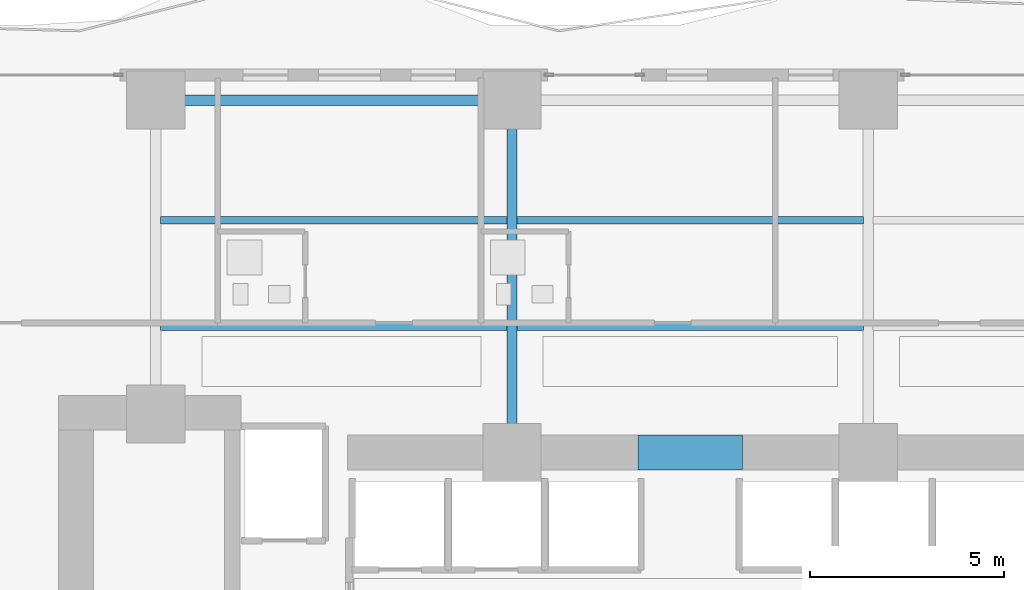
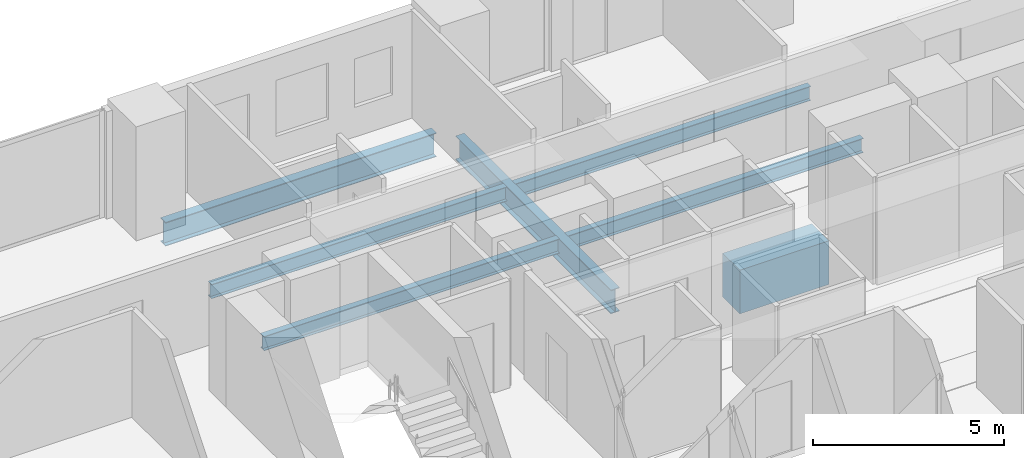
# One storey, part 14 of 28: 7 beams.
"""IFC4 building model written with IfcOpenShell, lengths in metres."""

from ifc_helpers import new_model, si_unit, direction, frame, origin, origin_2d, place, context, subcontext, project, spatial, rectangle, i_section, extrude, material, material_profile, profile_set, type_object, element, save


model = new_model("IFC4")

# Units and contexts
model_context = context("Model", 3, precision=1e-05, world=origin(), true_north=direction((0.0, 1.0)))
body_context = subcontext(model_context, "Body", "Model", "MODEL_VIEW")
ifc_project = project(units=[si_unit("LENGTHUNIT", "METRE"), si_unit("AREAUNIT", "SQUARE_METRE"), si_unit("VOLUMEUNIT", "CUBIC_METRE"), si_unit("PLANEANGLEUNIT", "RADIAN"), si_unit("MASSUNIT", "GRAM", prefix="KILO")], contexts=[model_context])

# Site, building, storey
site_placement = place(None, origin())
site = spatial("IfcSite", under=ifc_project, at=site_placement, CompositionType="ELEMENT")
building_placement = place(site_placement, origin())
building = spatial("IfcBuilding", under=site, at=building_placement, Name="Zuhayl Quay Hotel", CompositionType="ELEMENT")
storey_placement = place(building_placement, frame((0.0, 0.0, 56.800048828125)))
storey = spatial("IfcBuildingStorey", under=building, at=storey_placement, Name="L13", CompositionType="ELEMENT", Elevation=56.800048828125)

# Beams
ifc_material_1 = material(Name="Steel ASTM A992 Grade 50", Category="steel")
ifc_material_profile_1 = material_profile(ifc_material_1, i_section(OverallWidth=0.26708984375, OverallDepth=0.761962890625, WebThickness=0.014404296875, FlangeThickness=0.021484375, at=origin_2d()), Name="W30X116")
ifc_profile_set_1 = profile_set([ifc_material_profile_1], Name="Steel ASTM A992 Grade 50")
beam_type_1 = type_object("IfcBeamType", Name="BM_B1_W30X116", PredefinedType="BEAM", material=ifc_profile_set_1)
beam_1_placement = place(storey_placement, frame((-5.10009765625, 22.449951171875, -0.60107421875), z_axis=(-1.0, 0.0, 0.0), x_axis=(0.0, -1.0, 0.0)))
element("IfcBeam", 1, at=beam_1_placement, inside=storey, type_object=beam_type_1, Name="L13 Floor Beam RG_L13_09", PredefinedType="BEAM", context=body_context, shape_type="SweptSolid", body=[
    extrude(i_section(OverallWidth=0.26708984375, OverallDepth=0.761962890625, WebThickness=0.014404296875, FlangeThickness=0.021484375, at=origin_2d()), origin(), (0.0, 0.0, 1.0), 8.199951171875),
])
beam_2_placement = place(storey_placement, frame((-4.60009765625, 13.800048828125, -0.60107421875), z_axis=(0.0, 1.0, 0.0), x_axis=(-1.0, 0.0, 0.0)))
element("IfcBeam", 2, at=beam_2_placement, inside=storey, type_object=beam_type_1, Name="L13 Floor Beam FG_N_L13_2", PredefinedType="BEAM", context=body_context, shape_type="SweptSolid", body=[
    extrude(i_section(OverallWidth=0.26708984375, OverallDepth=0.761962890625, WebThickness=0.014404296875, FlangeThickness=0.021484375, at=origin_2d()), origin(), (0.0, 0.0, 1.0), 8.14990234375),
])
ifc_material_2 = material(Name="Concrete C60/75", Category="concrete")
ifc_material_profile_2 = material_profile(ifc_material_2, rectangle(XDim=0.89990234375, YDim=1.39990234375, at=origin_2d()), Name="RC900X1400")
ifc_profile_set_2 = profile_set([ifc_material_profile_2], Name="Concrete C60/75")
beam_type_2 = type_object("IfcBeamType", Name="BM_CB1_RC900", PredefinedType="T_BEAM", material=ifc_profile_set_2)
beam_3_placement = place(storey_placement, frame((-1.35009765625, 13.35009765625, -0.920166015625), z_axis=(1.0, 0.0, 0.0), x_axis=(0.0, 1.0, 0.0)))
element("IfcBeam", 3, at=beam_3_placement, inside=storey, type_object=beam_type_2, Name="L13 Core Coupling Beam North", PredefinedType="T_BEAM", context=body_context, shape_type="SweptSolid", body=[
    extrude(rectangle(XDim=0.89990234375, YDim=1.39990234375, at=origin_2d()), origin(), (0.0, 0.0, 1.0), 2.7001953125),
])
ifc_material_profile_3 = material_profile(ifc_material_1, i_section(OverallWidth=0.18994140625, OverallDepth=0.45703125, WebThickness=0.009033203125, FlangeThickness=0.014404296875, at=origin_2d()), Name="W18X50")
ifc_profile_set_3 = profile_set([ifc_material_profile_3], Name="Steel ASTM A992 Grade 50")
beam_type_3 = type_object("IfcBeamType", Name="BM_J2_W18X50", PredefinedType="JOIST", material=ifc_profile_set_3)
beam_4_placement = place(storey_placement, frame((-13.674560546875, 16.60009765625, -0.448486328125), z_axis=(1.0, 0.0, 0.0), x_axis=(0.0, 1.0, 0.0)))
element("IfcBeam", 4, at=beam_4_placement, inside=storey, type_object=beam_type_3, Name="L13 Floor Beam FJ_L13_1_1", PredefinedType="JOIST", context=body_context, shape_type="SweptSolid", body=[
    extrude(i_section(OverallWidth=0.18994140625, OverallDepth=0.45703125, WebThickness=0.009033203125, FlangeThickness=0.014404296875, at=origin_2d()), origin(), (0.0, 0.0, 1.0), 8.948974609375),
])
beam_5_placement = place(storey_placement, frame((-4.474609375, 16.60009765625, -0.448486328125), z_axis=(1.0, 0.0, 0.0), x_axis=(0.0, 1.0, 0.0)))
element("IfcBeam", 5, at=beam_5_placement, inside=storey, type_object=beam_type_3, Name="L13 Floor Beam FJ_L13_1_2", PredefinedType="JOIST", context=body_context, shape_type="SweptSolid", body=[
    extrude(i_section(OverallWidth=0.18994140625, OverallDepth=0.45703125, WebThickness=0.009033203125, FlangeThickness=0.014404296875, at=origin_2d()), origin(), (0.0, 0.0, 1.0), 8.94921875),
])
beam_6_placement = place(storey_placement, frame((-13.674560546875, 19.35009765625, -0.448486328125), z_axis=(1.0, 0.0, 0.0), x_axis=(0.0, 1.0, 0.0)))
element("IfcBeam", 6, at=beam_6_placement, inside=storey, type_object=beam_type_3, Name="L13 Floor Beam FJ_L13_2_1", PredefinedType="JOIST", context=body_context, shape_type="SweptSolid", body=[
    extrude(i_section(OverallWidth=0.18994140625, OverallDepth=0.45703125, WebThickness=0.009033203125, FlangeThickness=0.014404296875, at=origin_2d()), origin(), (0.0, 0.0, 1.0), 8.948974609375),
])
beam_7_placement = place(storey_placement, frame((-4.474609375, 19.35009765625, -0.448486328125), z_axis=(1.0, 0.0, 0.0), x_axis=(0.0, 1.0, 0.0)))
element("IfcBeam", 7, at=beam_7_placement, inside=storey, type_object=beam_type_3, Name="L13 Floor Beam FJ_L13_2_2", PredefinedType="JOIST", context=body_context, shape_type="SweptSolid", body=[
    extrude(i_section(OverallWidth=0.18994140625, OverallDepth=0.45703125, WebThickness=0.009033203125, FlangeThickness=0.014404296875, at=origin_2d()), origin(), (0.0, 0.0, 1.0), 8.94921875),
])

save(model, "model.ifc")
